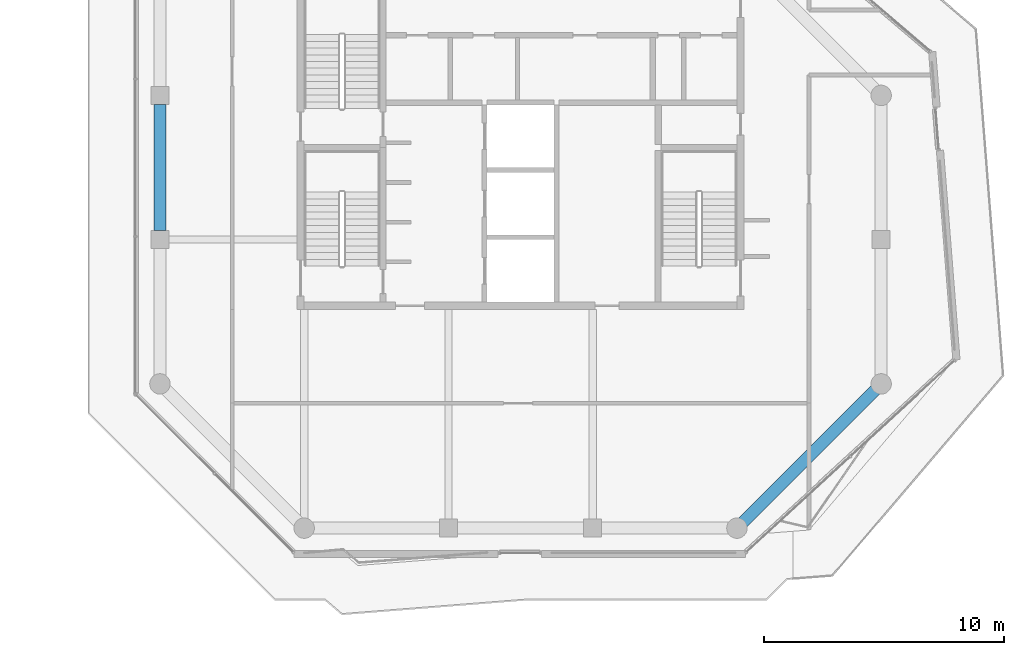
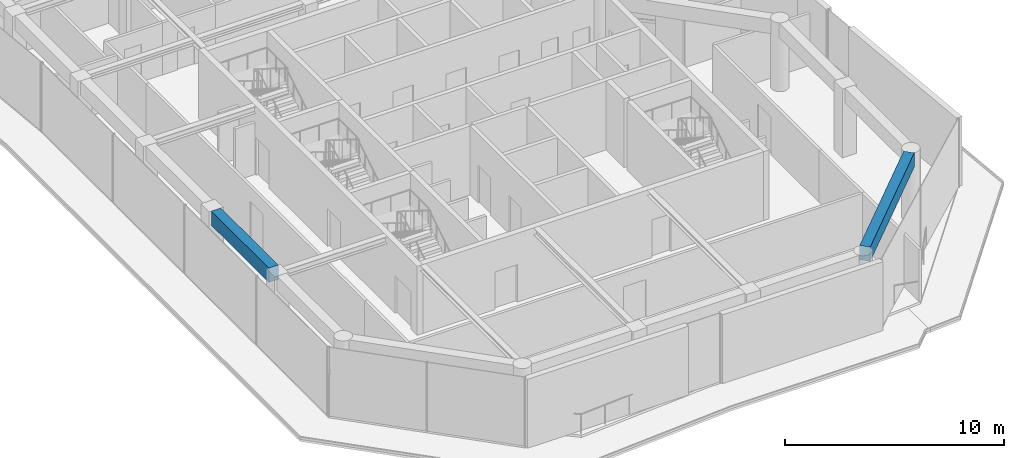
# One storey, part 3 of 23: 2 beams.
"""IFC4 building model written with IfcOpenShell, lengths in metres."""

from ifc_helpers import new_model, si_unit, direction, frame, origin, origin_2d, place, context, subcontext, project, spatial, rectangle, extrude, material, material_profile, profile_set, type_object, element, save


model = new_model("IFC4")

# Units and contexts
model_context = context("Model", 3, precision=1e-05, world=origin(), true_north=direction((0.0, 1.0)))
body_context = subcontext(model_context, "Body", "Model", "MODEL_VIEW")
ifc_project = project(units=[si_unit("LENGTHUNIT", "METRE"), si_unit("AREAUNIT", "SQUARE_METRE"), si_unit("VOLUMEUNIT", "CUBIC_METRE"), si_unit("PLANEANGLEUNIT", "RADIAN"), si_unit("MASSUNIT", "GRAM", prefix="KILO")], contexts=[model_context])

# Site, building, storey
site_placement = place(None, origin())
site = spatial("IfcSite", under=ifc_project, at=site_placement, CompositionType="ELEMENT")
building_placement = place(site_placement, origin())
building = spatial("IfcBuilding", under=site, at=building_placement, Name="Welwitschia Terrace Campus", CompositionType="ELEMENT")
storey_placement = place(building_placement, frame((0.0, 0.0, 306.199951171875)))
storey = spatial("IfcBuildingStorey", under=building, at=storey_placement, Name="L68", CompositionType="ELEMENT", Elevation=306.199951171875)

# Beams
ifc_material = material(Name="Concrete C50/60", Category="concrete")
ifc_material_profile = material_profile(ifc_material, rectangle(XDim=0.5, YDim=0.800048828125, at=origin_2d()))
ifc_profile_set = profile_set([ifc_material_profile], Name="Concrete C50/60")
beam_type = type_object("IfcBeamType", Name="Ring spandrel 500x800", PredefinedType="SPANDREL", material=ifc_profile_set)
beam_1_placement = place(storey_placement, frame((24.24365234375, -3.75634765625, 3.449951171875), z_axis=(0.707106781187, 0.707106781187, 0.0), x_axis=(-0.707106781187, 0.707106781187, 0.0)))
element("IfcBeam", 1, at=beam_1_placement, inside=storey, type_object=beam_type, Name="Spandrel SP4", PredefinedType="SPANDREL", context=body_context, shape_type="SweptSolid", body=[
    extrude(rectangle(XDim=0.5, YDim=0.800048828125, at=origin_2d()), origin(), (0.0, 0.0, 1.0), 7.796142578125),
])
beam_2_placement = place(storey_placement, frame((0.0, 13.62451171875, 3.449951171875), z_axis=(0.0, -1.0, 0.0), x_axis=(1.0, 0.0, 0.0)))
element("IfcBeam", 2, at=beam_2_placement, inside=storey, type_object=beam_type, Name="Spandrel SP4", PredefinedType="SPANDREL", context=body_context, shape_type="SweptSolid", body=[
    extrude(rectangle(XDim=0.5, YDim=0.800048828125, at=origin_2d()), origin(), (0.0, 0.0, 1.0), 5.2490234375),
])

save(model, "model.ifc")
